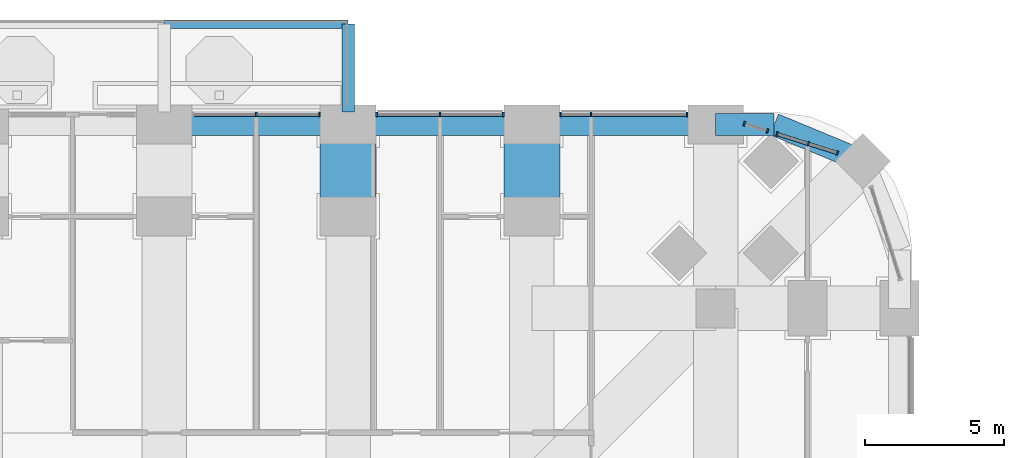
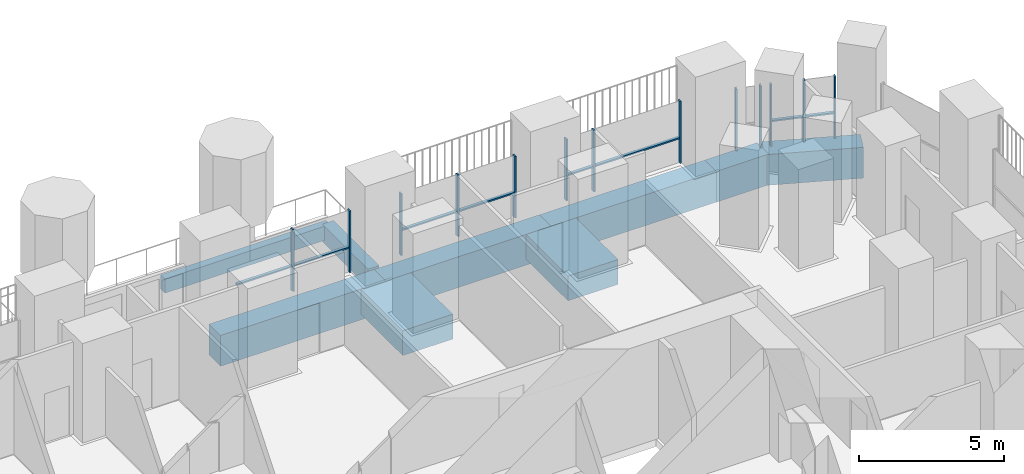
# One storey, part 9 of 25: 21 members, 9 beams, 5 elements without a shape of their own.
"""IFC4 building model written with IfcOpenShell, lengths in metres."""

import ifcopenshell
import ifcopenshell.guid

model = None  # the IFC model being written
_history = None  # IfcOwnerHistory: only IFC2X3 demands one
_inside = {}  # id of a spatial element -> (the spatial element, [elements in it])
_under = {}  # id of a project, library or spatial element -> (it, [spatial elements below it])
_declared = {}  # id of a project -> (the project, [libraries it declares])
_typed = {}  # id of a type object -> (the type object, [elements of that type])
_made_of = {}  # id of a material, layer set ... -> (it, [elements and type objects made of it])


def new_model(schema):
    """Start an empty IFC model of exactly this schema.

    Asked for "IFC4X3", IfcOpenShell would pick the latest addendum, in which some entities
    have other attributes; the version numbers below select the first issue.
    IFC2X3 requires an IfcOwnerHistory on every rooted entity: one is made here for all.
    """
    global model, _history
    if schema == "IFC4X3":
        model = ifcopenshell.file(schema_version=(4, 3, 0, 0))
    else:
        model = ifcopenshell.file(schema=schema)
    _inside.clear()
    _under.clear()
    _declared.clear()
    _typed.clear()
    _made_of.clear()
    _history = None
    if model.schema == "IFC2X3":
        org = make("IfcOrganization", Name="unknown")
        user = make(
            "IfcPersonAndOrganization",
            ThePerson=make("IfcPerson", FamilyName="unknown"),
            TheOrganization=org,
        )
        app = make(
            "IfcApplication",
            ApplicationDeveloper=org,
            Version="unknown",
            ApplicationFullName="unknown",
            ApplicationIdentifier="unknown",
        )
        _history = make(
            "IfcOwnerHistory",
            OwningUser=user,
            OwningApplication=app,
            ChangeAction="ADDED",
            CreationDate=0,
        )
    return model


def make(cls, **values):
    """One entity of the class cls with the attributes given. An attribute that is None is left unset."""
    return model.create_entity(
        cls, **{name: value for name, value in values.items() if value is not None}
    )


def rooted(cls, **values):
    """An entity with a GlobalId (a new one), such as an element, a storey or a relation."""
    return make(cls, GlobalId=ifcopenshell.guid.new(), OwnerHistory=_history, **values)


def si_unit(unit_type, name, prefix=None):
    """IfcSIUnit, for example si_unit("LENGTHUNIT", "METRE", prefix="MILLI")."""
    return make("IfcSIUnit", UnitType=unit_type, Prefix=prefix, Name=name)


def assignment(units):
    """IfcUnitAssignment: the units of a project."""
    return None if units is None else make("IfcUnitAssignment", Units=units)


def point(xyz):
    """IfcCartesianPoint."""
    return None if xyz is None else make("IfcCartesianPoint", Coordinates=xyz)


def direction(xyz):
    """IfcDirection."""
    return None if xyz is None else make("IfcDirection", DirectionRatios=xyz)


def frame(location, z_axis=None, x_axis=None):
    """IfcAxis2Placement3D, a coordinate frame: its origin and axes. An axis left out is left unset."""
    return make(
        "IfcAxis2Placement3D",
        Location=point(location),
        Axis=direction(z_axis),
        RefDirection=direction(x_axis),
    )


def frame_2d(location, x_axis=None):
    """IfcAxis2Placement2D, a coordinate frame in the plane: its origin and x axis."""
    return make(
        "IfcAxis2Placement2D", Location=point(location), RefDirection=direction(x_axis)
    )


def origin():
    """The frame at (0, 0, 0) with its axes left unset."""
    return frame((0.0, 0.0, 0.0))


def origin_2d():
    """The frame at (0, 0) in the plane with its x axis left unset."""
    return frame_2d((0.0, 0.0))


def place(relative_to, where):
    """IfcLocalPlacement: puts the frame where relative to a parent placement (None: the world)."""
    return make(
        "IfcLocalPlacement", PlacementRelTo=relative_to, RelativePlacement=where
    )


def context(
    kind, dimensions, precision=None, world=None, true_north=None, identifier=None
):
    """IfcGeometricRepresentationContext, for example the 3D "Model" context."""
    return make(
        "IfcGeometricRepresentationContext",
        ContextIdentifier=identifier,
        ContextType=kind,
        CoordinateSpaceDimension=dimensions,
        Precision=precision,
        WorldCoordinateSystem=world,
        TrueNorth=true_north,
    )


def subcontext(parent, identifier, kind, view, scale=None):
    """IfcGeometricRepresentationSubContext, for example "Body" below "Model"."""
    return make(
        "IfcGeometricRepresentationSubContext",
        ContextIdentifier=identifier,
        ContextType=kind,
        ParentContext=parent,
        TargetScale=scale,
        TargetView=view,
    )


def project(units=None, contexts=None):
    """IfcProject with its units and contexts."""
    return rooted(
        "IfcProject",
        Name="project",
        RepresentationContexts=contexts,
        UnitsInContext=assignment(units),
    )


def spatial(cls, under=None, at=None, **own):
    """A site, building, storey or space (cls), placed at a placement, below another one or the project."""
    s = rooted(cls, ObjectPlacement=at, **own)
    if under is not None:
        _under.setdefault(under.id(), (under, []))[1].append(s)
    return s


def profile(cls, at=None, kind="AREA", **sizes):
    """A parametric profile (cls). Its sizes go by their IFC names, for example OverallWidth=200.0."""
    return make(cls, ProfileType=kind, Position=at, **sizes)


def rectangle(**sizes):
    """IfcRectangleProfileDef."""
    return profile("IfcRectangleProfileDef", **sizes)


def extrude(swept, where, along, depth):
    """IfcExtrudedAreaSolid: the profile swept, set in the frame where, extruded along a direction by depth."""
    return make(
        "IfcExtrudedAreaSolid",
        SweptArea=swept,
        Position=where,
        ExtrudedDirection=direction(along),
        Depth=depth,
    )


def shape(context_of_items, identifier, shape_type, items):
    """IfcShapeRepresentation: the items that make up one representation, for example the "Body"."""
    return make(
        "IfcShapeRepresentation",
        ContextOfItems=context_of_items,
        RepresentationIdentifier=identifier,
        RepresentationType=shape_type,
        Items=items,
    )


def material(Name=None, Category=None):
    """IfcMaterial."""
    return make("IfcMaterial", Name=Name, Category=Category)


def material_profile(
    of_material, cross_section, Name=None, Category=None, Priority=None
):
    """IfcMaterialProfile: a cross section and its material."""
    return make(
        "IfcMaterialProfile",
        Name=Name,
        Material=of_material,
        Profile=cross_section,
        Priority=Priority,
        Category=Category,
    )


def profile_set(profiles, Name=None, composite=None):
    """IfcMaterialProfileSet."""
    return make(
        "IfcMaterialProfileSet",
        Name=Name,
        MaterialProfiles=profiles,
        CompositeProfile=composite,
    )


def made_of(thing, what):
    """Note that an element or type object is made of a material, layer set ...; save() writes the relation."""
    if what is not None:
        _made_of.setdefault(what.id(), (what, []))[1].append(thing)
    return thing


def type_object(cls, material=None, **own):
    """A type object (cls), such as IfcWallType, which elements share."""
    return made_of(rooted(cls, **own), material)


def element(
    cls,
    number,
    at=None,
    inside=None,
    cuts=None,
    type_object=None,
    material=None,
    context=None,
    identifier="Body",
    shape_type=None,
    held_by="IfcProductDefinitionShape",
    body=None,
    shapes=None,
    **own,
):
    """One element of the class cls, such as IfcWall. Its Tag is "e" and its number.

    at: its placement. inside: the storey or other place that contains it. cuts: it is an
    opening in that element (IfcRelVoidsElement). A single representation is given by context,
    identifier, shape_type and body (its items); several are given by shapes. held_by: the class
    of the entity that holds the representations. save() writes the other relations.
    """
    e = rooted(cls, Tag="e%d" % number, ObjectPlacement=at, **own)
    if body is not None:
        shapes = [shape(context, identifier, shape_type, body)]
    if shapes is not None:
        e.Representation = make(held_by, Representations=shapes)
    if inside is not None:
        _inside.setdefault(inside.id(), (inside, []))[1].append(e)
    if cuts is not None:
        rooted(
            "IfcRelVoidsElement", RelatingBuildingElement=cuts, RelatedOpeningElement=e
        )
    if type_object is not None:
        _typed.setdefault(type_object.id(), (type_object, []))[1].append(e)
    return made_of(e, material)


def aggregate(whole, parts):
    """IfcRelAggregates: a whole, such as a stair, and the parts it consists of."""
    return rooted("IfcRelAggregates", RelatingObject=whole, RelatedObjects=parts)


def save(model, path):
    """Write the relations noted so far, then the file.

    IfcRelAggregates (storeys below a building ...), IfcRelContainedInSpatialStructure (elements
    in a storey), IfcRelDefinesByType, IfcRelAssociatesMaterial and IfcRelDeclares: one each for
    every whole, place, type object, material and project.
    """
    for whole, parts in _under.values():
        aggregate(whole, parts)
    for where, things in _inside.values():
        rooted(
            "IfcRelContainedInSpatialStructure",
            RelatedElements=things,
            RelatingStructure=where,
        )
    for kind, things in _typed.values():
        rooted("IfcRelDefinesByType", RelatedObjects=things, RelatingType=kind)
    for what, things in _made_of.values():
        rooted("IfcRelAssociatesMaterial", RelatedObjects=things, RelatingMaterial=what)
    for by, libraries in _declared.values():
        rooted("IfcRelDeclares", RelatingContext=by, RelatedDefinitions=libraries)
    model.write(path)


model = new_model("IFC4")

# Units and contexts
model_context = context("Model", 3, precision=1e-05, world=origin(), true_north=direction((0.0, 1.0)))
body_context = subcontext(model_context, "Body", "Model", "MODEL_VIEW")
ifc_project = project(units=[si_unit("LENGTHUNIT", "METRE"), si_unit("AREAUNIT", "SQUARE_METRE"), si_unit("VOLUMEUNIT", "CUBIC_METRE"), si_unit("PLANEANGLEUNIT", "RADIAN"), si_unit("MASSUNIT", "GRAM", prefix="KILO")], contexts=[model_context])

# Site, building, storey
site_placement = place(None, origin())
site = spatial("IfcSite", under=ifc_project, at=site_placement, CompositionType="ELEMENT")
building_placement = place(site_placement, origin())
building = spatial("IfcBuilding", under=site, at=building_placement, Name="Cobogo Forest Laboratory Tower", CompositionType="ELEMENT")
storey_placement = place(building_placement, frame((0.0, 0.0, 67.5)))
storey = spatial("IfcBuildingStorey", under=building, at=storey_placement, Name="L15", CompositionType="ELEMENT", Elevation=67.5)

# Beams
ifc_material_1 = material(Name="Concrete HA-40 (C40/50)", Category="concrete")
ifc_material_profile_1 = material_profile(ifc_material_1, rectangle(XDim=0.449951171875, YDim=0.75, at=origin_2d()), Name="RC 450x750")
ifc_profile_set_1 = profile_set([ifc_material_profile_1], Name="Concrete HA-40 (C40/50)")
beam_type_1 = type_object("IfcBeamType", Name="Balcony cantilever beam 450x750", PredefinedType="BEAM", material=ifc_profile_set_1)
beam_1_placement = place(storey_placement, frame((33.0, 46.64990234375, -0.625), z_axis=(0.0, 1.0, 0.0), x_axis=(-1.0, 0.0, 0.0)))
element("IfcBeam", 1, at=beam_1_placement, inside=storey, type_object=beam_type_1, Name="CB1 BAL-N1-C3 L15", PredefinedType="BEAM", context=body_context, shape_type="SweptSolid", body=[
    extrude(rectangle(XDim=0.449951171875, YDim=0.75, at=origin_2d()), origin(), (0.0, 0.0, 1.0), 3.150146484375),
])
ifc_material_profile_2 = material_profile(ifc_material_1, rectangle(XDim=0.300048828125, YDim=0.60009765625, at=origin_2d()), Name="RC 300x600")
ifc_profile_set_2 = profile_set([ifc_material_profile_2], Name="Concrete HA-40 (C40/50)")
beam_type_2 = type_object("IfcBeamType", Name="Balcony edge beam 300x600", PredefinedType="BEAM", material=ifc_profile_set_2)
beam_2_placement = place(storey_placement, frame((26.39990234375, 49.800048828125, -0.550048828125), z_axis=(1.0, 0.0, 0.0), x_axis=(0.0, 1.0, 0.0)))
element("IfcBeam", 2, at=beam_2_placement, inside=storey, type_object=beam_type_2, Name="BB1 BAL-N1-T2 L15", PredefinedType="BEAM", context=body_context, shape_type="SweptSolid", body=[
    extrude(rectangle(XDim=0.300048828125, YDim=0.60009765625, at=origin_2d()), origin(), (0.0, 0.0, 1.0), 6.60009765625),
])
ifc_material_2 = material(Name="Concrete HA-50 (C50/60)", Category="concrete")
ifc_material_profile_3 = material_profile(ifc_material_2, rectangle(XDim=2.0, YDim=1.050048828125, at=origin_2d()), Name="RC 2000x1050")
ifc_profile_set_3 = profile_set([ifc_material_profile_3], Name="Concrete HA-50 (C50/60)")
beam_type_3 = type_object("IfcBeamType", Name="End-bay wide beam 2000x1050", PredefinedType="BEAM", material=ifc_profile_set_3)
for number, where, z_axis, x_axis, name in (
    (3, (33.0, 46.199951171875, -0.824951171875), (0.0, -1.0, 0.0), (1.0, 0.0, 0.0), "RB7 R-6-N-X L15"),
    (4, (39.60009765625, 46.199951171875, -0.824951171875), (0.0, -1.0, 0.0), (1.0, 0.0, 0.0), "RB7 R-7-N-X L15"),
):
    element("IfcBeam", number, at=place(storey_placement, frame(where, z_axis=z_axis, x_axis=x_axis)), inside=storey, type_object=beam_type_3, Name=name, PredefinedType="BEAM", context=body_context, shape_type="SweptSolid", body=[
        extrude(rectangle(XDim=2.0, YDim=1.050048828125, at=origin_2d()), origin(), (0.0, 0.0, 1.0), 3.300048828125),
    ])

# Curtain wall, members
ifc_material_3 = material(Name="Aluminium curtain wall", Category="aluminium")
curtain_wall_type = type_object("IfcCurtainWallType", Name="CW-1 unitised curtain wall, clear glazing, laboratory floors zones A and B", PredefinedType="USERDEFINED", material=ifc_material_3)
curtain_wall_1_placement = place(storey_placement, origin())
curtain_wall_1 = element("IfcCurtainWall", 5, at=curtain_wall_1_placement, inside=storey, type_object=curtain_wall_type, Name="Curtain wall 16 L15", ObjectType="UNITISED CURTAIN WALL", PredefinedType="USERDEFINED")
ifc_material_4 = material(Name="Aluminium mullion", Category="aluminium")
ifc_material_profile_4 = material_profile(ifc_material_4, rectangle(XDim=0.06005859375, YDim=0.159912109375, at=origin_2d()), Name="AL 60x160")
ifc_profile_set_4 = profile_set([ifc_material_profile_4], Name="Aluminium mullion")
member_type_1 = type_object("IfcMemberType", Name="MU-1 aluminium mullion 60x160", PredefinedType="MULLION", material=ifc_profile_set_4)
member_1_placement = place(storey_placement, frame((50.561279296875, 45.1728515625, 0.0), z_axis=(0.0, 0.0, 1.0), x_axis=(-0.953581409645, 0.301135343623, 0.0)))
member_1 = element("IfcMember", 6, at=member_1_placement, type_object=member_type_1, Name="CW-1 mullion 1", PredefinedType="MULLION", context=body_context, shape_type="SweptSolid", body=[
    extrude(rectangle(XDim=0.06005859375, YDim=0.159912109375, at=origin_2d()), origin(), (0.0, 0.0, 1.0), 2.60009765625),
])
member_2_placement = place(storey_placement, frame((49.524169921875, 45.500244140625, 0.0), z_axis=(0.0, 0.0, 1.0), x_axis=(-0.953581409645, 0.301135343623, 0.0)))
member_2 = element("IfcMember", 7, at=member_2_placement, type_object=member_type_1, Name="CW-1 mullion 2", PredefinedType="MULLION", context=body_context, shape_type="SweptSolid", body=[
    extrude(rectangle(XDim=0.06005859375, YDim=0.159912109375, at=origin_2d()), origin(), (0.0, 0.0, 1.0), 2.60009765625),
])
member_3_placement = place(storey_placement, frame((48.403076171875, 45.854248046875, 0.0), z_axis=(0.0, 0.0, 1.0), x_axis=(-0.953581409645, 0.301135343623, 0.0)))
member_3 = element("IfcMember", 8, at=member_3_placement, type_object=member_type_1, Name="CW-1 mullion 3", PredefinedType="MULLION", context=body_context, shape_type="SweptSolid", body=[
    extrude(rectangle(XDim=0.06005859375, YDim=0.159912109375, at=origin_2d()), origin(), (0.0, 0.0, 1.0), 2.60009765625),
])

curtain_wall_2_placement = place(storey_placement, origin())
curtain_wall_2 = element("IfcCurtainWall", 9, at=curtain_wall_2_placement, inside=storey, type_object=curtain_wall_type, Name="Curtain wall 17 L15", ObjectType="UNITISED CURTAIN WALL", PredefinedType="USERDEFINED")
member_4_placement = place(storey_placement, frame((48.05322265625, 45.96484375, 0.0), z_axis=(0.0, 0.0, 1.0), x_axis=(-0.953581406818, 0.301135352577, 0.0)))
member_4 = element("IfcMember", 10, at=member_4_placement, type_object=member_type_1, Name="CW-1 mullion 1", PredefinedType="MULLION", context=body_context, shape_type="SweptSolid", body=[
    extrude(rectangle(XDim=0.06005859375, YDim=0.159912109375, at=origin_2d()), origin(), (0.0, 0.0, 1.0), 2.60009765625),
])
member_5_placement = place(storey_placement, frame((47.228515625, 46.22509765625, 0.0), z_axis=(0.0, 0.0, 1.0), x_axis=(-0.953581406818, 0.301135352577, 0.0)))
member_5 = element("IfcMember", 11, at=member_5_placement, type_object=member_type_1, Name="CW-1 mullion 2", PredefinedType="MULLION", context=body_context, shape_type="SweptSolid", body=[
    extrude(rectangle(XDim=0.06005859375, YDim=0.159912109375, at=origin_2d()), origin(), (0.0, 0.0, 1.0), 2.60009765625),
])
aggregate(curtain_wall_2, [member_4, member_5])

curtain_wall_3_placement = place(storey_placement, origin())
curtain_wall_3 = element("IfcCurtainWall", 12, at=curtain_wall_3_placement, inside=storey, type_object=curtain_wall_type, Name="Curtain wall 18 L15", ObjectType="UNITISED CURTAIN WALL", PredefinedType="USERDEFINED")
member_6_placement = place(storey_placement, frame((45.169921875, 46.550048828125, 0.0), z_axis=(0.0, 0.0, 1.0), x_axis=(-1.0, 0.0, 0.0)))
member_6 = element("IfcMember", 13, at=member_6_placement, type_object=member_type_1, Name="CW-1 mullion 1", PredefinedType="MULLION", context=body_context, shape_type="SweptSolid", body=[
    extrude(rectangle(XDim=0.06005859375, YDim=0.159912109375, at=origin_2d()), origin(), (0.0, 0.0, 1.0), 2.60009765625),
])
member_7_placement = place(storey_placement, frame((41.72509765625, 46.550048828125, 0.0), z_axis=(0.0, 0.0, 1.0), x_axis=(-1.0, 0.0, 0.0)))
member_7 = element("IfcMember", 14, at=member_7_placement, type_object=member_type_1, Name="CW-1 mullion 2", PredefinedType="MULLION", context=body_context, shape_type="SweptSolid", body=[
    extrude(rectangle(XDim=0.06005859375, YDim=0.159912109375, at=origin_2d()), origin(), (0.0, 0.0, 1.0), 2.60009765625),
])
member_8_placement = place(storey_placement, frame((40.6298828125, 46.550048828125, 0.0), z_axis=(0.0, 0.0, 1.0), x_axis=(-1.0, 0.0, 0.0)))
member_8 = element("IfcMember", 15, at=member_8_placement, type_object=member_type_1, Name="CW-1 mullion 3", PredefinedType="MULLION", context=body_context, shape_type="SweptSolid", body=[
    extrude(rectangle(XDim=0.06005859375, YDim=0.159912109375, at=origin_2d()), origin(), (0.0, 0.0, 1.0), 2.60009765625),
])

curtain_wall_4_placement = place(storey_placement, origin())
curtain_wall_4 = element("IfcCurtainWall", 16, at=curtain_wall_4_placement, inside=storey, type_object=curtain_wall_type, Name="Curtain wall 19 L15", ObjectType="UNITISED CURTAIN WALL", PredefinedType="USERDEFINED")
member_9_placement = place(storey_placement, frame((38.570068359375, 46.550048828125, 0.0), z_axis=(0.0, 0.0, 1.0), x_axis=(-1.0, 0.0, 0.0)))
member_9 = element("IfcMember", 17, at=member_9_placement, type_object=member_type_1, Name="CW-1 mullion 1", PredefinedType="MULLION", context=body_context, shape_type="SweptSolid", body=[
    extrude(rectangle(XDim=0.06005859375, YDim=0.159912109375, at=origin_2d()), origin(), (0.0, 0.0, 1.0), 2.60009765625),
])
member_10_placement = place(storey_placement, frame((36.300048828125, 46.550048828125, 0.0), z_axis=(0.0, 0.0, 1.0), x_axis=(-1.0, 0.0, 0.0)))
member_10 = element("IfcMember", 18, at=member_10_placement, type_object=member_type_1, Name="CW-1 mullion 2", PredefinedType="MULLION", context=body_context, shape_type="SweptSolid", body=[
    extrude(rectangle(XDim=0.06005859375, YDim=0.159912109375, at=origin_2d()), origin(), (0.0, 0.0, 1.0), 2.60009765625),
])
member_11_placement = place(storey_placement, frame((34.030029296875, 46.550048828125, 0.0), z_axis=(0.0, 0.0, 1.0), x_axis=(-1.0, 0.0, 0.0)))
member_11 = element("IfcMember", 19, at=member_11_placement, type_object=member_type_1, Name="CW-1 mullion 3", PredefinedType="MULLION", context=body_context, shape_type="SweptSolid", body=[
    extrude(rectangle(XDim=0.06005859375, YDim=0.159912109375, at=origin_2d()), origin(), (0.0, 0.0, 1.0), 2.60009765625),
])

curtain_wall_5_placement = place(storey_placement, origin())
curtain_wall_5 = element("IfcCurtainWall", 20, at=curtain_wall_5_placement, inside=storey, type_object=curtain_wall_type, Name="Curtain wall 20 L15", ObjectType="UNITISED CURTAIN WALL", PredefinedType="USERDEFINED")
member_12_placement = place(storey_placement, frame((31.969970703125, 46.550048828125, 0.0), z_axis=(0.0, 0.0, 1.0), x_axis=(-1.0, 0.0, 0.0)))
member_12 = element("IfcMember", 21, at=member_12_placement, type_object=member_type_1, Name="CW-1 mullion 1", PredefinedType="MULLION", context=body_context, shape_type="SweptSolid", body=[
    extrude(rectangle(XDim=0.06005859375, YDim=0.159912109375, at=origin_2d()), origin(), (0.0, 0.0, 1.0), 2.60009765625),
])
member_13_placement = place(storey_placement, frame((29.699951171875, 46.550048828125, 0.0), z_axis=(0.0, 0.0, 1.0), x_axis=(-1.0, 0.0, 0.0)))
member_13 = element("IfcMember", 22, at=member_13_placement, type_object=member_type_1, Name="CW-1 mullion 2", PredefinedType="MULLION", context=body_context, shape_type="SweptSolid", body=[
    extrude(rectangle(XDim=0.06005859375, YDim=0.159912109375, at=origin_2d()), origin(), (0.0, 0.0, 1.0), 2.60009765625),
])

# Beams
ifc_material_profile_5 = material_profile(ifc_material_1, rectangle(XDim=0.800048828125, YDim=1.300048828125, at=origin_2d()), Name="RC 800x1300")
ifc_profile_set_5 = profile_set([ifc_material_profile_5], Name="Concrete HA-40 (C40/50)")
beam_type_4 = type_object("IfcBeamType", Name="Perimeter edge beam 800x1300", PredefinedType="BEAM", material=ifc_profile_set_5)
for number, where, z_axis, x_axis, name in (
    (23, (26.39990234375, 46.199951171875, -0.949951171875), (1.0, 0.0, 0.0), (0.0, 1.0, 0.0), "EB2 E-N4 L15"),
    (24, (33.0, 46.199951171875, -0.949951171875), (1.0, 0.0, 0.0), (0.0, 1.0, 0.0), "EB2 E-N5 L15"),
):
    element("IfcBeam", number, at=place(storey_placement, frame(where, z_axis=z_axis, x_axis=x_axis)), inside=storey, type_object=beam_type_4, Name=name, PredefinedType="BEAM", context=body_context, shape_type="SweptSolid", body=[
        extrude(rectangle(XDim=0.800048828125, YDim=1.300048828125, at=origin_2d()), origin(), (0.0, 0.0, 1.0), 6.60009765625),
    ])
beam_3_placement = place(storey_placement, frame((39.60009765625, 46.199951171875, -0.949951171875), z_axis=(1.0, 0.0, 0.0), x_axis=(0.0, 1.0, 0.0)))
element("IfcBeam", 25, at=beam_3_placement, inside=storey, type_object=beam_type_4, Name="EB2 E-N6 L15", PredefinedType="BEAM", context=body_context, shape_type="SweptSolid", body=[
    extrude(rectangle(XDim=0.800048828125, YDim=1.300048828125, at=origin_2d()), origin(), (0.0, 0.0, 1.0), 6.599853515625),
])
beam_4_placement = place(storey_placement, frame((46.199951171875, 46.199951171875, -0.949951171875), z_axis=(1.0, 0.0, 0.0), x_axis=(0.0, 1.0, 0.0)))
element("IfcBeam", 26, at=beam_4_placement, inside=storey, type_object=beam_type_4, Name="EB2 E-NEN1 L15", PredefinedType="BEAM", context=body_context, shape_type="SweptSolid", body=[
    extrude(rectangle(XDim=0.800048828125, YDim=1.300048828125, at=origin_2d()), origin(), (0.0, 0.0, 1.0), 2.10009765625),
])
beam_5_placement = place(storey_placement, frame((48.300048828125, 46.199951171875, -0.949951171875), z_axis=(0.923890694089, -0.382656484822, 0.0), x_axis=(0.382656484822, 0.923890694089, 0.0)))
element("IfcBeam", 27, at=beam_5_placement, inside=storey, type_object=beam_type_4, Name="EB2 E-NEN2 L15", PredefinedType="BEAM", context=body_context, shape_type="SweptSolid", body=[
    extrude(rectangle(XDim=0.800048828125, YDim=1.300048828125, at=origin_2d()), origin(), (0.0, 0.0, 1.0), 3.444091796875),
])

# Member
ifc_material_5 = material(Name="Aluminium transom", Category="aluminium")
ifc_material_profile_6 = material_profile(ifc_material_5, rectangle(XDim=0.1201171875, YDim=0.06005859375, at=origin_2d()), Name="AL 60x120")
ifc_profile_set_6 = profile_set([ifc_material_profile_6], Name="Aluminium transom")
member_type_2 = type_object("IfcMemberType", Name="TR-1 aluminium transom 60x120", PredefinedType="USERDEFINED", material=ifc_profile_set_6)
member_14_placement = place(storey_placement, frame((50.53271484375, 45.181884765625, 1.050048828125), z_axis=(-0.953622152866, 0.301006294888, 0.0), x_axis=(-0.301006294888, -0.953622152866, 0.0)))
member_14 = element("IfcMember", 28, at=member_14_placement, type_object=member_type_2, Name="CW-1 transom 1.1", ObjectType="TRANSOM", PredefinedType="USERDEFINED", context=body_context, shape_type="SweptSolid", body=[
    extrude(rectangle(XDim=0.1201171875, YDim=0.06005859375, at=origin_2d()), origin(), (0.0, 0.0, 1.0), 1.027587890625),
])

member_15_placement = place(storey_placement, frame((49.495361328125, 45.50927734375, 1.050048828125), z_axis=(-0.953576049467, 0.301152316747, 0.0), x_axis=(-0.301152316747, -0.953576049467, 0.0)))
member_15 = element("IfcMember", 29, at=member_15_placement, type_object=member_type_2, Name="CW-1 transom 2.1", ObjectType="TRANSOM", PredefinedType="USERDEFINED", context=body_context, shape_type="SweptSolid", body=[
    extrude(rectangle(XDim=0.1201171875, YDim=0.06005859375, at=origin_2d()), origin(), (0.0, 0.0, 1.0), 1.115478515625),
])

aggregate(curtain_wall_1, [member_1, member_2, member_3, member_14, member_15])

member_16_placement = place(storey_placement, frame((45.139892578125, 46.550048828125, 1.050048828125), z_axis=(-1.0, 0.0, 0.0), x_axis=(0.0, -1.0, 0.0)))
member_16 = element("IfcMember", 30, at=member_16_placement, type_object=member_type_2, Name="CW-1 transom 1.1", ObjectType="TRANSOM", PredefinedType="USERDEFINED", context=body_context, shape_type="SweptSolid", body=[
    extrude(rectangle(XDim=0.1201171875, YDim=0.06005859375, at=origin_2d()), origin(), (0.0, 0.0, 1.0), 3.385009765625),
])

member_17_placement = place(storey_placement, frame((41.695068359375, 46.550048828125, 1.050048828125), z_axis=(-1.0, 0.0, 0.0), x_axis=(0.0, -1.0, 0.0)))
member_17 = element("IfcMember", 31, at=member_17_placement, type_object=member_type_2, Name="CW-1 transom 2.1", ObjectType="TRANSOM", PredefinedType="USERDEFINED", context=body_context, shape_type="SweptSolid", body=[
    extrude(rectangle(XDim=0.1201171875, YDim=0.06005859375, at=origin_2d()), origin(), (0.0, 0.0, 1.0), 1.03515625),
])

aggregate(curtain_wall_3, [member_6, member_7, member_8, member_16, member_17])

member_18_placement = place(storey_placement, frame((38.5400390625, 46.550048828125, 1.050048828125), z_axis=(-1.0, 0.0, 0.0), x_axis=(0.0, -1.0, 0.0)))
member_18 = element("IfcMember", 32, at=member_18_placement, type_object=member_type_2, Name="CW-1 transom 1.1", ObjectType="TRANSOM", PredefinedType="USERDEFINED", context=body_context, shape_type="SweptSolid", body=[
    extrude(rectangle(XDim=0.1201171875, YDim=0.06005859375, at=origin_2d()), origin(), (0.0, 0.0, 1.0), 2.2099609375),
])

member_19_placement = place(storey_placement, frame((36.27001953125, 46.550048828125, 1.050048828125), z_axis=(-1.0, 0.0, 0.0), x_axis=(0.0, -1.0, 0.0)))
member_19 = element("IfcMember", 33, at=member_19_placement, type_object=member_type_2, Name="CW-1 transom 2.1", ObjectType="TRANSOM", PredefinedType="USERDEFINED", context=body_context, shape_type="SweptSolid", body=[
    extrude(rectangle(XDim=0.1201171875, YDim=0.06005859375, at=origin_2d()), origin(), (0.0, 0.0, 1.0), 2.2099609375),
])

aggregate(curtain_wall_4, [member_9, member_10, member_11, member_18, member_19])

member_20_placement = place(storey_placement, frame((31.93994140625, 46.550048828125, 1.050048828125), z_axis=(-1.0, 0.0, 0.0), x_axis=(0.0, -1.0, 0.0)))
member_20 = element("IfcMember", 34, at=member_20_placement, type_object=member_type_2, Name="CW-1 transom 1.1", ObjectType="TRANSOM", PredefinedType="USERDEFINED", context=body_context, shape_type="SweptSolid", body=[
    extrude(rectangle(XDim=0.1201171875, YDim=0.06005859375, at=origin_2d()), origin(), (0.0, 0.0, 1.0), 2.2099609375),
])

member_21_placement = place(storey_placement, frame((29.669921875, 46.550048828125, 1.050048828125), z_axis=(-1.0, 0.0, 0.0), x_axis=(0.0, -1.0, 0.0)))
member_21 = element("IfcMember", 35, at=member_21_placement, type_object=member_type_2, Name="CW-1 transom 2.1", ObjectType="TRANSOM", PredefinedType="USERDEFINED", context=body_context, shape_type="SweptSolid", body=[
    extrude(rectangle(XDim=0.1201171875, YDim=0.06005859375, at=origin_2d()), origin(), (0.0, 0.0, 1.0), 2.2099609375),
])

aggregate(curtain_wall_5, [member_12, member_13, member_20, member_21])

save(model, "model.ifc")
